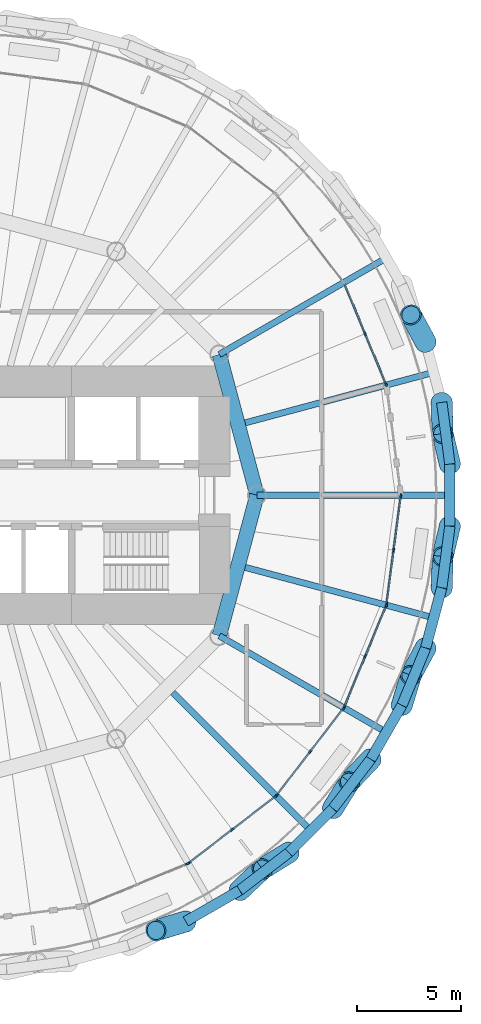
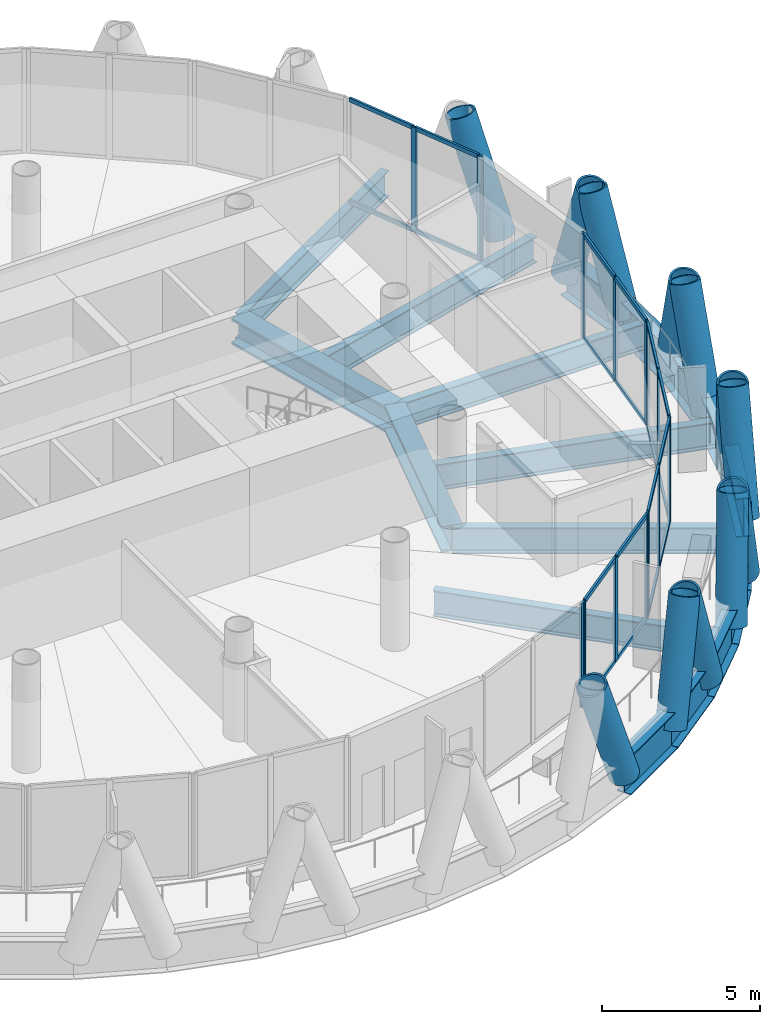
# One storey, part 4 of 14: 47 members, 18 beams, 6 elements without a shape of their own.
"""IFC4 building model written with IfcOpenShell, lengths in metres."""

from ifc_helpers import new_model, si_unit, direction, frame, origin, origin_2d, place, context, subcontext, project, spatial, rectangle, hollow_circle, i_section, extrude, material, material_profile, profile_set, type_object, element, aggregate, save


model = new_model("IFC4")

# Units and contexts
model_context = context("Model", 3, precision=1e-05, world=origin(), true_north=direction((0.0, 1.0)))
body_context = subcontext(model_context, "Body", "Model", "MODEL_VIEW")
ifc_project = project(units=[si_unit("LENGTHUNIT", "METRE"), si_unit("AREAUNIT", "SQUARE_METRE"), si_unit("VOLUMEUNIT", "CUBIC_METRE"), si_unit("PLANEANGLEUNIT", "RADIAN"), si_unit("MASSUNIT", "GRAM", prefix="KILO")], contexts=[model_context])

# Site, building, storey
site_placement = place(None, origin())
site = spatial("IfcSite", under=ifc_project, at=site_placement, CompositionType="ELEMENT")
building_placement = place(site_placement, origin())
building = spatial("IfcBuilding", under=site, at=building_placement, Name="Qaws Media Tower", CompositionType="ELEMENT")
storey_placement = place(building_placement, frame((0.0, 0.0, 215.0)))
storey = spatial("IfcBuildingStorey", under=building, at=storey_placement, Name="L49", CompositionType="ELEMENT", Elevation=215.0)

# Curtain wall, members
ifc_material_1 = material(Name="Aluminium and clear glass", Category="aluminium")
curtain_wall_type = type_object("IfcCurtainWallType", Name="Unitised curtain wall CW-C", PredefinedType="NOTDEFINED", material=ifc_material_1)
curtain_wall_1_placement = place(storey_placement, origin())
curtain_wall_1 = element("IfcCurtainWall", 1, at=curtain_wall_1_placement, inside=storey, type_object=curtain_wall_type, Name="CWC curtain wall L49-02", PredefinedType="NOTDEFINED")
ifc_material_2 = material(Name="Aluminium mullion", Category="aluminium")
ifc_material_profile_1 = material_profile(ifc_material_2, rectangle(XDim=0.080078125, YDim=0.199951171875, at=origin_2d()), Name="80x200")
ifc_profile_set_1 = profile_set([ifc_material_profile_1], Name="Aluminium mullion")
member_type_1 = type_object("IfcMemberType", Name="Curtain wall mullion 80x200", PredefinedType="MULLION", material=ifc_profile_set_1)
member_1_placement = place(storey_placement, frame((79.689697265625, 55.31689453125, 0.0), z_axis=(0.0, 0.0, 1.0), x_axis=(-0.923879494026, -0.382683525276, 0.0)))
member_1 = element("IfcMember", 2, at=member_1_placement, type_object=member_type_1, Name="CWC mullion 1", PredefinedType="MULLION", context=body_context, shape_type="SweptSolid", body=[
    extrude(rectangle(XDim=0.080078125, YDim=0.199951171875, at=origin_2d()), origin(), (0.0, 0.0, 1.0), 4.0400390625),
])
member_2_placement = place(storey_placement, frame((78.685791015625, 57.739990234375, 0.0), z_axis=(0.0, 0.0, 1.0), x_axis=(-0.923879494026, -0.382683525276, 0.0)))
member_2 = element("IfcMember", 3, at=member_2_placement, type_object=member_type_1, Name="CWC mullion 2", PredefinedType="MULLION", context=body_context, shape_type="SweptSolid", body=[
    extrude(rectangle(XDim=0.080078125, YDim=0.199951171875, at=origin_2d()), origin(), (0.0, 0.0, 1.0), 4.0400390625),
])

# Curtain wall, member
curtain_wall_2_placement = place(storey_placement, origin())
curtain_wall_2 = element("IfcCurtainWall", 4, at=curtain_wall_2_placement, inside=storey, type_object=curtain_wall_type, Name="CWC curtain wall L49-20", PredefinedType="NOTDEFINED")
member_3_placement = place(storey_placement, frame((70.1630859375, 32.31787109375, 0.0), z_axis=(0.0, 0.0, 1.0), x_axis=(-0.382683525276, 0.923879494026, 0.0)))
member_3 = element("IfcMember", 5, at=member_3_placement, type_object=member_type_1, Name="CWC mullion 3", PredefinedType="MULLION", context=body_context, shape_type="SweptSolid", body=[
    extrude(rectangle(XDim=0.080078125, YDim=0.199951171875, at=origin_2d()), origin(), (0.0, 0.0, 1.0), 4.0400390625),
])
aggregate(curtain_wall_2, [member_3])

# Curtain wall, members
curtain_wall_3_placement = place(storey_placement, origin())
curtain_wall_3 = element("IfcCurtainWall", 6, at=curtain_wall_3_placement, inside=storey, type_object=curtain_wall_type, Name="CWC curtain wall L49-21", PredefinedType="NOTDEFINED")
member_4_placement = place(storey_placement, frame((70.231689453125, 32.357421875, 0.0), z_axis=(0.0, 0.0, 1.0), x_axis=(-0.608761471199, 0.793353307917, 0.0)))
member_4 = element("IfcMember", 7, at=member_4_placement, type_object=member_type_1, Name="CWC mullion 1", PredefinedType="MULLION", context=body_context, shape_type="SweptSolid", body=[
    extrude(rectangle(XDim=0.080078125, YDim=0.199951171875, at=origin_2d()), origin(), (0.0, 0.0, 1.0), 4.0400390625),
])
member_5_placement = place(storey_placement, frame((72.3125, 33.9541015625, 0.0), z_axis=(0.0, 0.0, 1.0), x_axis=(-0.608761471199, 0.793353307917, 0.0)))
member_5 = element("IfcMember", 8, at=member_5_placement, type_object=member_type_1, Name="CWC mullion 2", PredefinedType="MULLION", context=body_context, shape_type="SweptSolid", body=[
    extrude(rectangle(XDim=0.080078125, YDim=0.199951171875, at=origin_2d()), origin(), (0.0, 0.0, 1.0), 4.0400390625),
])
member_6_placement = place(storey_placement, frame((74.393310546875, 35.55078125, 0.0), z_axis=(0.0, 0.0, 1.0), x_axis=(-0.608761471199, 0.793353307917, 0.0)))
member_6 = element("IfcMember", 9, at=member_6_placement, type_object=member_type_1, Name="CWC mullion 3", PredefinedType="MULLION", context=body_context, shape_type="SweptSolid", body=[
    extrude(rectangle(XDim=0.080078125, YDim=0.199951171875, at=origin_2d()), origin(), (0.0, 0.0, 1.0), 4.0400390625),
])

curtain_wall_4_placement = place(storey_placement, origin())
curtain_wall_4 = element("IfcCurtainWall", 10, at=curtain_wall_4_placement, inside=storey, type_object=curtain_wall_type, Name="CWC curtain wall L49-22", PredefinedType="NOTDEFINED")
member_7_placement = place(storey_placement, frame((74.44921875, 35.606689453125, 0.0), z_axis=(0.0, 0.0, 1.0), x_axis=(-0.793353307917, 0.608761471199, 0.0)))
member_7 = element("IfcMember", 11, at=member_7_placement, type_object=member_type_1, Name="CWC mullion 1", PredefinedType="MULLION", context=body_context, shape_type="SweptSolid", body=[
    extrude(rectangle(XDim=0.080078125, YDim=0.199951171875, at=origin_2d()), origin(), (0.0, 0.0, 1.0), 4.0400390625),
])
member_8_placement = place(storey_placement, frame((76.0458984375, 37.6875, 0.0), z_axis=(0.0, 0.0, 1.0), x_axis=(-0.793353307917, 0.608761471199, 0.0)))
member_8 = element("IfcMember", 12, at=member_8_placement, type_object=member_type_1, Name="CWC mullion 2", PredefinedType="MULLION", context=body_context, shape_type="SweptSolid", body=[
    extrude(rectangle(XDim=0.080078125, YDim=0.199951171875, at=origin_2d()), origin(), (0.0, 0.0, 1.0), 4.0400390625),
])
member_9_placement = place(storey_placement, frame((77.642578125, 39.768310546875, 0.0), z_axis=(0.0, 0.0, 1.0), x_axis=(-0.793353307917, 0.608761471199, 0.0)))
member_9 = element("IfcMember", 13, at=member_9_placement, type_object=member_type_1, Name="CWC mullion 3", PredefinedType="MULLION", context=body_context, shape_type="SweptSolid", body=[
    extrude(rectangle(XDim=0.080078125, YDim=0.199951171875, at=origin_2d()), origin(), (0.0, 0.0, 1.0), 4.0400390625),
])

curtain_wall_5_placement = place(storey_placement, origin())
curtain_wall_5 = element("IfcCurtainWall", 14, at=curtain_wall_5_placement, inside=storey, type_object=curtain_wall_type, Name="CWC curtain wall L49-23", PredefinedType="NOTDEFINED")
member_10_placement = place(storey_placement, frame((77.68212890625, 39.8369140625, 0.0), z_axis=(0.0, 0.0, 1.0), x_axis=(-0.923879494026, 0.382683525276, 0.0)))
member_10 = element("IfcMember", 15, at=member_10_placement, type_object=member_type_1, Name="CWC mullion 1", PredefinedType="MULLION", context=body_context, shape_type="SweptSolid", body=[
    extrude(rectangle(XDim=0.080078125, YDim=0.199951171875, at=origin_2d()), origin(), (0.0, 0.0, 1.0), 4.0400390625),
])
member_11_placement = place(storey_placement, frame((78.685791015625, 42.260009765625, 0.0), z_axis=(0.0, 0.0, 1.0), x_axis=(-0.923879494026, 0.382683525276, 0.0)))
member_11 = element("IfcMember", 16, at=member_11_placement, type_object=member_type_1, Name="CWC mullion 2", PredefinedType="MULLION", context=body_context, shape_type="SweptSolid", body=[
    extrude(rectangle(XDim=0.080078125, YDim=0.199951171875, at=origin_2d()), origin(), (0.0, 0.0, 1.0), 4.0400390625),
])
member_12_placement = place(storey_placement, frame((79.689697265625, 44.68310546875, 0.0), z_axis=(0.0, 0.0, 1.0), x_axis=(-0.923879494026, 0.382683525276, 0.0)))
member_12 = element("IfcMember", 17, at=member_12_placement, type_object=member_type_1, Name="CWC mullion 3", PredefinedType="MULLION", context=body_context, shape_type="SweptSolid", body=[
    extrude(rectangle(XDim=0.080078125, YDim=0.199951171875, at=origin_2d()), origin(), (0.0, 0.0, 1.0), 4.0400390625),
])

curtain_wall_6_placement = place(storey_placement, origin())
curtain_wall_6 = element("IfcCurtainWall", 18, at=curtain_wall_6_placement, inside=storey, type_object=curtain_wall_type, Name="CWC curtain wall L49-24", PredefinedType="NOTDEFINED")
member_13_placement = place(storey_placement, frame((79.710205078125, 44.759765625, 0.0), z_axis=(0.0, 0.0, 1.0), x_axis=(-0.991444866402, 0.13052615403, 0.0)))
member_13 = element("IfcMember", 19, at=member_13_placement, type_object=member_type_1, Name="CWC mullion 1", PredefinedType="MULLION", context=body_context, shape_type="SweptSolid", body=[
    extrude(rectangle(XDim=0.080078125, YDim=0.199951171875, at=origin_2d()), origin(), (0.0, 0.0, 1.0), 4.0400390625),
])
member_14_placement = place(storey_placement, frame((80.052490234375, 47.360107421875, 0.0), z_axis=(0.0, 0.0, 1.0), x_axis=(-0.991444866402, 0.13052615403, 0.0)))
member_14 = element("IfcMember", 20, at=member_14_placement, type_object=member_type_1, Name="CWC mullion 2", PredefinedType="MULLION", context=body_context, shape_type="SweptSolid", body=[
    extrude(rectangle(XDim=0.080078125, YDim=0.199951171875, at=origin_2d()), origin(), (0.0, 0.0, 1.0), 4.0400390625),
])
member_15_placement = place(storey_placement, frame((80.394775390625, 49.96044921875, 0.0), z_axis=(0.0, 0.0, 1.0), x_axis=(-0.991444866402, 0.13052615403, 0.0)))
member_15 = element("IfcMember", 21, at=member_15_placement, type_object=member_type_1, Name="CWC mullion 3", PredefinedType="MULLION", context=body_context, shape_type="SweptSolid", body=[
    extrude(rectangle(XDim=0.080078125, YDim=0.199951171875, at=origin_2d()), origin(), (0.0, 0.0, 1.0), 4.0400390625),
])

# Member
ifc_material_3 = material(Name="Aluminium transom", Category="aluminium")
ifc_material_profile_2 = material_profile(ifc_material_3, rectangle(XDim=0.080078125, YDim=0.159912109375, at=origin_2d()), Name="80x160")
ifc_profile_set_2 = profile_set([ifc_material_profile_2], Name="Aluminium transom")
member_type_2 = type_object("IfcMemberType", Name="Curtain wall transom 80x160", PredefinedType="USERDEFINED", material=ifc_profile_set_2)
member_16_placement = place(storey_placement, frame((79.67431640625, 55.353759765625, 0.0400390625), z_axis=(-0.382719254697, 0.923864693602, 0.0), x_axis=(-0.923864693602, -0.382719254697, 0.0)))
member_16 = element("IfcMember", 22, at=member_16_placement, type_object=member_type_2, Name="CWC transom 1.1", ObjectType="TRANSOM", PredefinedType="USERDEFINED", context=body_context, shape_type="SweptSolid", body=[
    extrude(rectangle(XDim=0.080078125, YDim=0.159912109375, at=origin_2d()), origin(), (0.0, 0.0, 1.0), 2.542724609375),
])

member_17_placement = place(storey_placement, frame((79.67431640625, 55.353759765625, 4.0), z_axis=(-0.382719254697, 0.923864693602, 0.0), x_axis=(-0.923864693602, -0.382719254697, 0.0)))
member_17 = element("IfcMember", 23, at=member_17_placement, type_object=member_type_2, Name="CWC transom 1.2", ObjectType="TRANSOM", PredefinedType="USERDEFINED", context=body_context, shape_type="SweptSolid", body=[
    extrude(rectangle(XDim=0.080078125, YDim=0.159912109375, at=origin_2d()), origin(), (0.0, 0.0, 1.0), 2.542724609375),
])

member_18_placement = place(storey_placement, frame((78.670654296875, 57.77685546875, 0.0400390625), z_axis=(-0.382719254697, 0.923864693602, 0.0), x_axis=(-0.923864693602, -0.382719254697, 0.0)))
member_18 = element("IfcMember", 24, at=member_18_placement, type_object=member_type_2, Name="CWC transom 2.1", ObjectType="TRANSOM", PredefinedType="USERDEFINED", context=body_context, shape_type="SweptSolid", body=[
    extrude(rectangle(XDim=0.080078125, YDim=0.159912109375, at=origin_2d()), origin(), (0.0, 0.0, 1.0), 2.542724609375),
])

member_19_placement = place(storey_placement, frame((78.670654296875, 57.77685546875, 4.0), z_axis=(-0.382719254697, 0.923864693602, 0.0), x_axis=(-0.923864693602, -0.382719254697, 0.0)))
member_19 = element("IfcMember", 25, at=member_19_placement, type_object=member_type_2, Name="CWC transom 2.2", ObjectType="TRANSOM", PredefinedType="USERDEFINED", context=body_context, shape_type="SweptSolid", body=[
    extrude(rectangle(XDim=0.080078125, YDim=0.159912109375, at=origin_2d()), origin(), (0.0, 0.0, 1.0), 2.542724609375),
])

aggregate(curtain_wall_1, [member_1, member_2, member_16, member_17, member_18, member_19])

member_20_placement = place(storey_placement, frame((70.263427734375, 32.3818359375, 0.0400390625), z_axis=(0.793372950567, 0.608735871547, 0.0), x_axis=(-0.608735871547, 0.793372950567, 0.0)))
member_20 = element("IfcMember", 26, at=member_20_placement, type_object=member_type_2, Name="CWC transom 1.1", ObjectType="TRANSOM", PredefinedType="USERDEFINED", context=body_context, shape_type="SweptSolid", body=[
    extrude(rectangle(XDim=0.080078125, YDim=0.159912109375, at=origin_2d()), origin(), (0.0, 0.0, 1.0), 2.542724609375),
])

member_21_placement = place(storey_placement, frame((70.263427734375, 32.3818359375, 4.0), z_axis=(0.793372950567, 0.608735871547, 0.0), x_axis=(-0.608735871547, 0.793372950567, 0.0)))
member_21 = element("IfcMember", 27, at=member_21_placement, type_object=member_type_2, Name="CWC transom 1.2", ObjectType="TRANSOM", PredefinedType="USERDEFINED", context=body_context, shape_type="SweptSolid", body=[
    extrude(rectangle(XDim=0.080078125, YDim=0.159912109375, at=origin_2d()), origin(), (0.0, 0.0, 1.0), 2.542724609375),
])

member_22_placement = place(storey_placement, frame((72.34423828125, 33.978515625, 0.0400390625), z_axis=(0.793372950567, 0.608735871547, 0.0), x_axis=(-0.608735871547, 0.793372950567, 0.0)))
member_22 = element("IfcMember", 28, at=member_22_placement, type_object=member_type_2, Name="CWC transom 2.1", ObjectType="TRANSOM", PredefinedType="USERDEFINED", context=body_context, shape_type="SweptSolid", body=[
    extrude(rectangle(XDim=0.080078125, YDim=0.159912109375, at=origin_2d()), origin(), (0.0, 0.0, 1.0), 2.542724609375),
])

member_23_placement = place(storey_placement, frame((72.34423828125, 33.978515625, 4.0), z_axis=(0.793372950567, 0.608735871547, 0.0), x_axis=(-0.608735871547, 0.793372950567, 0.0)))
member_23 = element("IfcMember", 29, at=member_23_placement, type_object=member_type_2, Name="CWC transom 2.2", ObjectType="TRANSOM", PredefinedType="USERDEFINED", context=body_context, shape_type="SweptSolid", body=[
    extrude(rectangle(XDim=0.080078125, YDim=0.159912109375, at=origin_2d()), origin(), (0.0, 0.0, 1.0), 2.542724609375),
])

aggregate(curtain_wall_3, [member_4, member_5, member_6, member_20, member_21, member_22, member_23])

member_24_placement = place(storey_placement, frame((74.4736328125, 35.638427734375, 0.0400390625), z_axis=(0.608735871547, 0.793372950567, 0.0), x_axis=(-0.793372950567, 0.608735871547, 0.0)))
member_24 = element("IfcMember", 30, at=member_24_placement, type_object=member_type_2, Name="CWC transom 1.1", ObjectType="TRANSOM", PredefinedType="USERDEFINED", context=body_context, shape_type="SweptSolid", body=[
    extrude(rectangle(XDim=0.080078125, YDim=0.159912109375, at=origin_2d()), origin(), (0.0, 0.0, 1.0), 2.542724609375),
])

member_25_placement = place(storey_placement, frame((74.4736328125, 35.638427734375, 4.0), z_axis=(0.608735871547, 0.793372950567, 0.0), x_axis=(-0.793372950567, 0.608735871547, 0.0)))
member_25 = element("IfcMember", 31, at=member_25_placement, type_object=member_type_2, Name="CWC transom 1.2", ObjectType="TRANSOM", PredefinedType="USERDEFINED", context=body_context, shape_type="SweptSolid", body=[
    extrude(rectangle(XDim=0.080078125, YDim=0.159912109375, at=origin_2d()), origin(), (0.0, 0.0, 1.0), 2.542724609375),
])

member_26_placement = place(storey_placement, frame((76.0703125, 37.71923828125, 0.0400390625), z_axis=(0.608735871547, 0.793372950567, 0.0), x_axis=(-0.793372950567, 0.608735871547, 0.0)))
member_26 = element("IfcMember", 32, at=member_26_placement, type_object=member_type_2, Name="CWC transom 2.1", ObjectType="TRANSOM", PredefinedType="USERDEFINED", context=body_context, shape_type="SweptSolid", body=[
    extrude(rectangle(XDim=0.080078125, YDim=0.159912109375, at=origin_2d()), origin(), (0.0, 0.0, 1.0), 2.542724609375),
])

member_27_placement = place(storey_placement, frame((76.0703125, 37.71923828125, 4.0), z_axis=(0.608735871547, 0.793372950567, 0.0), x_axis=(-0.793372950567, 0.608735871547, 0.0)))
member_27 = element("IfcMember", 33, at=member_27_placement, type_object=member_type_2, Name="CWC transom 2.2", ObjectType="TRANSOM", PredefinedType="USERDEFINED", context=body_context, shape_type="SweptSolid", body=[
    extrude(rectangle(XDim=0.080078125, YDim=0.159912109375, at=origin_2d()), origin(), (0.0, 0.0, 1.0), 2.542724609375),
])

aggregate(curtain_wall_4, [member_7, member_8, member_9, member_24, member_25, member_26, member_27])

member_28_placement = place(storey_placement, frame((77.697509765625, 39.8740234375, 0.0400390625), z_axis=(0.382719254697, 0.923864693602, 0.0), x_axis=(-0.923864693602, 0.382719254697, 0.0)))
member_28 = element("IfcMember", 34, at=member_28_placement, type_object=member_type_2, Name="CWC transom 1.1", ObjectType="TRANSOM", PredefinedType="USERDEFINED", context=body_context, shape_type="SweptSolid", body=[
    extrude(rectangle(XDim=0.080078125, YDim=0.159912109375, at=origin_2d()), origin(), (0.0, 0.0, 1.0), 2.542724609375),
])

member_29_placement = place(storey_placement, frame((77.697509765625, 39.8740234375, 4.0), z_axis=(0.382719254697, 0.923864693602, 0.0), x_axis=(-0.923864693602, 0.382719254697, 0.0)))
member_29 = element("IfcMember", 35, at=member_29_placement, type_object=member_type_2, Name="CWC transom 1.2", ObjectType="TRANSOM", PredefinedType="USERDEFINED", context=body_context, shape_type="SweptSolid", body=[
    extrude(rectangle(XDim=0.080078125, YDim=0.159912109375, at=origin_2d()), origin(), (0.0, 0.0, 1.0), 2.542724609375),
])

member_30_placement = place(storey_placement, frame((78.701171875, 42.297119140625, 0.0400390625), z_axis=(0.382719254697, 0.923864693602, 0.0), x_axis=(-0.923864693602, 0.382719254697, 0.0)))
member_30 = element("IfcMember", 36, at=member_30_placement, type_object=member_type_2, Name="CWC transom 2.1", ObjectType="TRANSOM", PredefinedType="USERDEFINED", context=body_context, shape_type="SweptSolid", body=[
    extrude(rectangle(XDim=0.080078125, YDim=0.159912109375, at=origin_2d()), origin(), (0.0, 0.0, 1.0), 2.542724609375),
])

member_31_placement = place(storey_placement, frame((78.701171875, 42.297119140625, 4.0), z_axis=(0.382719254697, 0.923864693602, 0.0), x_axis=(-0.923864693602, 0.382719254697, 0.0)))
member_31 = element("IfcMember", 37, at=member_31_placement, type_object=member_type_2, Name="CWC transom 2.2", ObjectType="TRANSOM", PredefinedType="USERDEFINED", context=body_context, shape_type="SweptSolid", body=[
    extrude(rectangle(XDim=0.080078125, YDim=0.159912109375, at=origin_2d()), origin(), (0.0, 0.0, 1.0), 2.542724609375),
])

aggregate(curtain_wall_5, [member_10, member_11, member_12, member_28, member_29, member_30, member_31])

member_32_placement = place(storey_placement, frame((79.71533203125, 44.79931640625, 0.0400390625), z_axis=(0.130484317017, 0.991450373449, 0.0), x_axis=(-0.991450373449, 0.130484317017, 0.0)))
member_32 = element("IfcMember", 38, at=member_32_placement, type_object=member_type_2, Name="CWC transom 1.1", ObjectType="TRANSOM", PredefinedType="USERDEFINED", context=body_context, shape_type="SweptSolid", body=[
    extrude(rectangle(XDim=0.080078125, YDim=0.159912109375, at=origin_2d()), origin(), (0.0, 0.0, 1.0), 2.542724609375),
])

member_33_placement = place(storey_placement, frame((79.71533203125, 44.79931640625, 4.0), z_axis=(0.130484317017, 0.991450373449, 0.0), x_axis=(-0.991450373449, 0.130484317017, 0.0)))
member_33 = element("IfcMember", 39, at=member_33_placement, type_object=member_type_2, Name="CWC transom 1.2", ObjectType="TRANSOM", PredefinedType="USERDEFINED", context=body_context, shape_type="SweptSolid", body=[
    extrude(rectangle(XDim=0.080078125, YDim=0.159912109375, at=origin_2d()), origin(), (0.0, 0.0, 1.0), 2.542724609375),
])

member_34_placement = place(storey_placement, frame((80.0576171875, 47.399658203125, 0.0400390625), z_axis=(0.130578695427, 0.991437947781, 0.0), x_axis=(-0.991437947781, 0.130578695427, 0.0)))
member_34 = element("IfcMember", 40, at=member_34_placement, type_object=member_type_2, Name="CWC transom 2.1", ObjectType="TRANSOM", PredefinedType="USERDEFINED", context=body_context, shape_type="SweptSolid", body=[
    extrude(rectangle(XDim=0.080078125, YDim=0.159912109375, at=origin_2d()), origin(), (0.0, 0.0, 1.0), 2.542724609375),
])

member_35_placement = place(storey_placement, frame((80.0576171875, 47.399658203125, 4.0), z_axis=(0.130578695427, 0.991437947781, 0.0), x_axis=(-0.991437947781, 0.130578695427, 0.0)))
member_35 = element("IfcMember", 41, at=member_35_placement, type_object=member_type_2, Name="CWC transom 2.2", ObjectType="TRANSOM", PredefinedType="USERDEFINED", context=body_context, shape_type="SweptSolid", body=[
    extrude(rectangle(XDim=0.080078125, YDim=0.159912109375, at=origin_2d()), origin(), (0.0, 0.0, 1.0), 2.542724609375),
])

aggregate(curtain_wall_6, [member_13, member_14, member_15, member_32, member_33, member_34, member_35])

# Members
ifc_material_4 = material(Name="Steel S460", Category="steel")
ifc_material_profile_3 = material_profile(ifc_material_4, hollow_circle(Radius=0.508056640625, WallThickness=0.070068359375, at=origin_2d()), Name="CHS 1016x70")
ifc_profile_set_3 = profile_set([ifc_material_profile_3], Name="Steel S460")
member_type_3 = type_object("IfcMemberType", Name="Diagrid member CHS 1016x70", PredefinedType="USERDEFINED", material=ifc_profile_set_3)
for number, where, z_axis, x_axis, name in (
    (42, (82.751220703125, 51.4912109375, -0.909912109375), (-0.077248734093, 0.327116361591, 0.941821383841), (-0.973231000079, -0.229829111483, 0.0), "DG3 diagrid L49 A01"),
    (43, (82.751220703125, 48.5087890625, -0.909912109375), (-0.077248734093, -0.327116361591, 0.941821383841), (0.973231000079, -0.229829111483, 0.0), "DG3 diagrid L49 B01"),
    (44, (81.590087890625, 57.328857421875, -0.909912109375), (-0.159314917038, 0.295964412888, 0.941819421924), (-0.880533853634, -0.473983261945, 0.0), "DG3 diagrid L49 A02"),
):
    element("IfcMember", number, at=place(storey_placement, frame(where, z_axis=z_axis, x_axis=x_axis)), inside=storey, type_object=member_type_3, Name=name, ObjectType="DIAGRID", PredefinedType="USERDEFINED", context=body_context, shape_type="SweptSolid", body=[
        extrude(hollow_circle(Radius=0.508056640625, WallThickness=0.070068359375, at=origin_2d()), origin(), (0.0, 0.0, 1.0), 4.45947265625),
    ])
member_36_placement = place(storey_placement, frame((82.36181640625, 54.447998046875, -0.909912109375), z_axis=(0.010073650119, -0.335934332226, 0.941831538018), x_axis=(0.999550694045, 0.02997348887, 0.0)))
element("IfcMember", 45, at=member_36_placement, inside=storey, type_object=member_type_3, Name="DG3 diagrid L49 B02", ObjectType="DIAGRID", PredefinedType="USERDEFINED", context=body_context, shape_type="SweptSolid", body=[
    extrude(hollow_circle(Radius=0.508056640625, WallThickness=0.070068359375, at=origin_2d()), origin(), (0.0, 0.0, 1.0), 4.459228515625),
])
for number, where, z_axis, x_axis, name in (
    (46, (72.6669921875, 31.04248046875, -0.909912109375), (0.244664958727, 0.230485450042, 0.941815011183), (-0.685699937785, 0.727884328257, 0.0), "DG3 diagrid L49 A21"),
    (47, (70.084228515625, 29.55126953125, -0.909912109375), (-0.321916275076, -0.096629630188, 0.941824095259), (0.287497320601, -0.957781442004, 0.0), "DG3 diagrid L49 B21"),
    (48, (77.141845703125, 34.966796875, -0.909912109375), (0.176669755736, 0.285945501769, 0.941818967438), (-0.850723025077, 0.525614245055, 0.0), "DG3 diagrid L49 A22"),
    (49, (75.033203125, 32.858154296875, -0.909912109375), (-0.285945501769, -0.176669755736, 0.941818967438), (0.525614245055, -0.850723025077, 0.0), "DG3 diagrid L49 B22"),
    (50, (80.44873046875, 39.915771484375, -0.909912109375), (0.096629630188, 0.321916275076, 0.941824095259), (-0.957781442004, 0.287497320601, 0.0), "DG3 diagrid L49 A23"),
    (51, (78.95751953125, 37.3330078125, -0.909912109375), (-0.230485450042, -0.244664958727, 0.941815011183), (0.727884328257, -0.685699937785, 0.0), "DG3 diagrid L49 B23"),
):
    element("IfcMember", number, at=place(storey_placement, frame(where, z_axis=z_axis, x_axis=x_axis)), inside=storey, type_object=member_type_3, Name=name, ObjectType="DIAGRID", PredefinedType="USERDEFINED", context=body_context, shape_type="SweptSolid", body=[
        extrude(hollow_circle(Radius=0.508056640625, WallThickness=0.070068359375, at=origin_2d()), origin(), (0.0, 0.0, 1.0), 4.45947265625),
    ])
member_37_placement = place(storey_placement, frame((82.36181640625, 45.552001953125, -0.909912109375), z_axis=(0.010073650119, 0.335934332226, 0.941831538018), x_axis=(-0.999550694045, 0.02997348887, 0.0)))
element("IfcMember", 52, at=member_37_placement, inside=storey, type_object=member_type_3, Name="DG3 diagrid L49 A24", ObjectType="DIAGRID", PredefinedType="USERDEFINED", context=body_context, shape_type="SweptSolid", body=[
    extrude(hollow_circle(Radius=0.508056640625, WallThickness=0.070068359375, at=origin_2d()), origin(), (0.0, 0.0, 1.0), 4.459228515625),
])
member_38_placement = place(storey_placement, frame((81.590087890625, 42.671142578125, -0.909912109375), z_axis=(-0.159314917038, -0.295964412888, 0.941819421924), x_axis=(0.880533853634, -0.473983261945, 0.0)))
element("IfcMember", 53, at=member_38_placement, inside=storey, type_object=member_type_3, Name="DG3 diagrid L49 B24", ObjectType="DIAGRID", PredefinedType="USERDEFINED", context=body_context, shape_type="SweptSolid", body=[
    extrude(hollow_circle(Radius=0.508056640625, WallThickness=0.070068359375, at=origin_2d()), origin(), (0.0, 0.0, 1.0), 4.45947265625),
])

# Beams
ifc_material_5 = material(Name="Steel S460", Category="steel")
ifc_material_profile_4 = material_profile(ifc_material_5, i_section(OverallWidth=0.5, OverallDepth=1.5, WebThickness=0.02001953125, FlangeThickness=0.0400390625, at=origin_2d()), Name="PG 1500x500")
ifc_profile_set_4 = profile_set([ifc_material_profile_4], Name="Steel S460")
beam_type_1 = type_object("IfcBeamType", Name="Edge ring beam PG 1500x500", PredefinedType="BEAM", material=ifc_profile_set_4)
for number, where, z_axis, x_axis, name in (
    (54, (82.751220703125, 51.4912109375, -0.909912109375), (-0.130570980704, 0.991438963829, 0.0), (-0.991438963829, -0.130570980704, 0.0), "RB4 edge ring beam L49-01"),
    (55, (70.084228515625, 29.55126953125, -0.909912109375), (0.866017906508, 0.500012985438, 0.0), (-0.500012985438, 0.866017906508, 0.0), "RB4 edge ring beam L49-40"),
):
    element("IfcBeam", number, at=place(storey_placement, frame(where, z_axis=z_axis, x_axis=x_axis)), inside=storey, type_object=beam_type_1, Name=name, PredefinedType="BEAM", context=body_context, shape_type="SweptSolid", body=[
        extrude(i_section(OverallWidth=0.5, OverallDepth=1.5, WebThickness=0.02001953125, FlangeThickness=0.0400390625, at=origin_2d()), origin(), (0.0, 0.0, 1.0), 2.982421875),
    ])
beam_1_placement = place(storey_placement, frame((72.6669921875, 31.04248046875, -0.909912109375), z_axis=(0.793350698159, 0.608764872287, 0.0), x_axis=(-0.608764872287, 0.793350698159, 0.0)))
element("IfcBeam", 56, at=beam_1_placement, inside=storey, type_object=beam_type_1, Name="RB4 edge ring beam L49-41", PredefinedType="BEAM", context=body_context, shape_type="SweptSolid", body=[
    extrude(i_section(OverallWidth=0.5, OverallDepth=1.5, WebThickness=0.02001953125, FlangeThickness=0.0400390625, at=origin_2d()), origin(), (0.0, 0.0, 1.0), 2.982666015625),
])
beam_2_placement = place(storey_placement, frame((75.033203125, 32.858154296875, -0.909912109375), z_axis=(0.707106781187, 0.707106781187, 0.0), x_axis=(-0.707106781187, 0.707106781187, 0.0)))
element("IfcBeam", 57, at=beam_2_placement, inside=storey, type_object=beam_type_1, Name="RB4 edge ring beam L49-42", PredefinedType="BEAM", context=body_context, shape_type="SweptSolid", body=[
    extrude(i_section(OverallWidth=0.5, OverallDepth=1.5, WebThickness=0.02001953125, FlangeThickness=0.0400390625, at=origin_2d()), origin(), (0.0, 0.0, 1.0), 2.982177734375),
])
beam_3_placement = place(storey_placement, frame((77.141845703125, 34.966796875, -0.909912109375), z_axis=(0.608764872287, 0.793350698159, 0.0), x_axis=(-0.793350698159, 0.608764872287, 0.0)))
element("IfcBeam", 58, at=beam_3_placement, inside=storey, type_object=beam_type_1, Name="RB4 edge ring beam L49-43", PredefinedType="BEAM", context=body_context, shape_type="SweptSolid", body=[
    extrude(i_section(OverallWidth=0.5, OverallDepth=1.5, WebThickness=0.02001953125, FlangeThickness=0.0400390625, at=origin_2d()), origin(), (0.0, 0.0, 1.0), 2.982666015625),
])
for number, where, z_axis, x_axis, name in (
    (59, (78.95751953125, 37.3330078125, -0.909912109375), (0.500012985438, 0.866017906508, 0.0), (-0.866017906508, 0.500012985438, 0.0), "RB4 edge ring beam L49-44"),
    (60, (80.44873046875, 39.915771484375, -0.909912109375), (0.382696410016, 0.923874156886, 0.0), (-0.923874156886, 0.382696410016, 0.0), "RB4 edge ring beam L49-45"),
    (61, (81.590087890625, 42.671142578125, -0.909912109375), (0.258757907866, 0.965942205889, 0.0), (-0.965942205889, 0.258757907866, 0.0), "RB4 edge ring beam L49-46"),
    (62, (82.36181640625, 45.552001953125, -0.909912109375), (0.130570980704, 0.991438963829, 0.0), (-0.991438963829, 0.130570980704, 0.0), "RB4 edge ring beam L49-47"),
    (63, (82.751220703125, 48.5087890625, -0.909912109375), (0.0, 1.0, 0.0), (-1.0, 0.0, 0.0), "RB4 edge ring beam L49-48"),
):
    element("IfcBeam", number, at=place(storey_placement, frame(where, z_axis=z_axis, x_axis=x_axis)), inside=storey, type_object=beam_type_1, Name=name, PredefinedType="BEAM", context=body_context, shape_type="SweptSolid", body=[
        extrude(i_section(OverallWidth=0.5, OverallDepth=1.5, WebThickness=0.02001953125, FlangeThickness=0.0400390625, at=origin_2d()), origin(), (0.0, 0.0, 1.0), 2.982421875),
    ])
ifc_material_6 = material(Name="Steel S460", Category="steel")
ifc_material_profile_5 = material_profile(ifc_material_6, i_section(OverallWidth=0.699951171875, OverallDepth=1.0, WebThickness=0.034912109375, FlangeThickness=0.090087890625, at=origin_2d()), Name="PG 1000x700")
ifc_profile_set_5 = profile_set([ifc_material_profile_5], Name="Steel S460")
beam_type_2 = type_object("IfcBeamType", Name="Inner ring girder PG 1000x700", PredefinedType="BEAM", material=ifc_profile_set_5)
for number, where, z_axis, x_axis, name in (
    (64, (73.5, 50.0, -0.659912109375), (-0.258810593767, 0.965928090778, 0.0), (-0.965928090778, -0.258810593767, 0.0), "B3 inner ring beam L49 I01-I02"),
    (65, (71.69140625, 43.25, -0.659912109375), (0.258810593767, 0.965928090778, 0.0), (-0.965928090778, 0.258810593767, 0.0), "B3 inner ring beam L49 I12-I01"),
):
    element("IfcBeam", number, at=place(storey_placement, frame(where, z_axis=z_axis, x_axis=x_axis)), inside=storey, type_object=beam_type_2, Name=name, PredefinedType="BEAM", context=body_context, shape_type="SweptSolid", body=[
        extrude(i_section(OverallWidth=0.699951171875, OverallDepth=1.0, WebThickness=0.034912109375, FlangeThickness=0.090087890625, at=origin_2d()), origin(), (0.0, 0.0, 1.0), 6.988037109375),
    ])
ifc_material_7 = material(Name="Steel S355", Category="steel")
ifc_material_profile_6 = material_profile(ifc_material_7, i_section(OverallWidth=0.302001953125, OverallDepth=1.008056640625, WebThickness=0.02099609375, FlangeThickness=0.0400390625, FilletRadius=0.030029296875, at=origin_2d()), Name="HE 1000 M")
ifc_profile_set_6 = profile_set([ifc_material_profile_6], Name="Steel S355")
beam_type_3 = type_object("IfcBeamType", Name="Radial beam HE 1000 M", PredefinedType="BEAM", material=ifc_profile_set_6)
beam_4_placement = place(storey_placement, frame((73.5, 50.0, -0.6640625), z_axis=(1.0, 0.0, 0.0), x_axis=(0.0, 1.0, 0.0)))
element("IfcBeam", 66, at=beam_4_placement, inside=storey, type_object=beam_type_3, Name="B1 radial beam L49 01", PredefinedType="BEAM", context=body_context, shape_type="SweptSolid", body=[
    extrude(i_section(OverallWidth=0.302001953125, OverallDepth=1.008056640625, WebThickness=0.02099609375, FlangeThickness=0.0400390625, FilletRadius=0.030029296875, at=origin_2d()), origin(), (0.0, 0.0, 1.0), 9.251220703125),
])
beam_5_placement = place(storey_placement, frame((72.933837890625, 53.465576171875, -0.6640625), z_axis=(0.965926049534, 0.258818211939, 0.0), x_axis=(-0.258818211939, 0.965926049534, 0.0)))
element("IfcBeam", 67, at=beam_5_placement, inside=storey, type_object=beam_type_3, Name="B1 radial beam L49 02", PredefinedType="BEAM", context=body_context, shape_type="SweptSolid", body=[
    extrude(i_section(OverallWidth=0.302001953125, OverallDepth=1.008056640625, WebThickness=0.02099609375, FlangeThickness=0.0400390625, FilletRadius=0.030029296875, at=origin_2d()), origin(), (0.0, 0.0, 1.0), 9.361328125),
])
beam_6_placement = place(storey_placement, frame((71.69140625, 56.75, -0.6640625), z_axis=(0.86602913405, 0.499993538935, 0.0), x_axis=(-0.499993538935, 0.86602913405, 0.0)))
element("IfcBeam", 68, at=beam_6_placement, inside=storey, type_object=beam_type_3, Name="B1 radial beam L49 03", PredefinedType="BEAM", context=body_context, shape_type="SweptSolid", body=[
    extrude(i_section(OverallWidth=0.302001953125, OverallDepth=1.008056640625, WebThickness=0.02099609375, FlangeThickness=0.0400390625, FilletRadius=0.030029296875, at=origin_2d()), origin(), (0.0, 0.0, 1.0), 9.2509765625),
])
beam_7_placement = place(storey_placement, frame((69.46826171875, 40.53173828125, -0.6640625), z_axis=(0.707106781187, -0.707106781187, 0.0), x_axis=(0.707106781187, 0.707106781187, 0.0)))
element("IfcBeam", 69, at=beam_7_placement, inside=storey, type_object=beam_type_3, Name="B1 radial beam L49 22", PredefinedType="BEAM", context=body_context, shape_type="SweptSolid", body=[
    extrude(i_section(OverallWidth=0.302001953125, OverallDepth=1.008056640625, WebThickness=0.02099609375, FlangeThickness=0.0400390625, FilletRadius=0.030029296875, at=origin_2d()), origin(), (0.0, 0.0, 1.0), 9.36083984375),
])
beam_8_placement = place(storey_placement, frame((71.69140625, 43.25, -0.6640625), z_axis=(0.86602913405, -0.499993538935, 0.0), x_axis=(0.499993538935, 0.86602913405, 0.0)))
element("IfcBeam", 70, at=beam_8_placement, inside=storey, type_object=beam_type_3, Name="B1 radial beam L49 23", PredefinedType="BEAM", context=body_context, shape_type="SweptSolid", body=[
    extrude(i_section(OverallWidth=0.302001953125, OverallDepth=1.008056640625, WebThickness=0.02099609375, FlangeThickness=0.0400390625, FilletRadius=0.030029296875, at=origin_2d()), origin(), (0.0, 0.0, 1.0), 9.2509765625),
])
beam_9_placement = place(storey_placement, frame((72.933837890625, 46.534423828125, -0.6640625), z_axis=(0.965926049534, -0.258818211939, 0.0), x_axis=(0.258818211939, 0.965926049534, 0.0)))
element("IfcBeam", 71, at=beam_9_placement, inside=storey, type_object=beam_type_3, Name="B1 radial beam L49 24", PredefinedType="BEAM", context=body_context, shape_type="SweptSolid", body=[
    extrude(i_section(OverallWidth=0.302001953125, OverallDepth=1.008056640625, WebThickness=0.02099609375, FlangeThickness=0.0400390625, FilletRadius=0.030029296875, at=origin_2d()), origin(), (0.0, 0.0, 1.0), 9.361328125),
])

save(model, "model.ifc")
